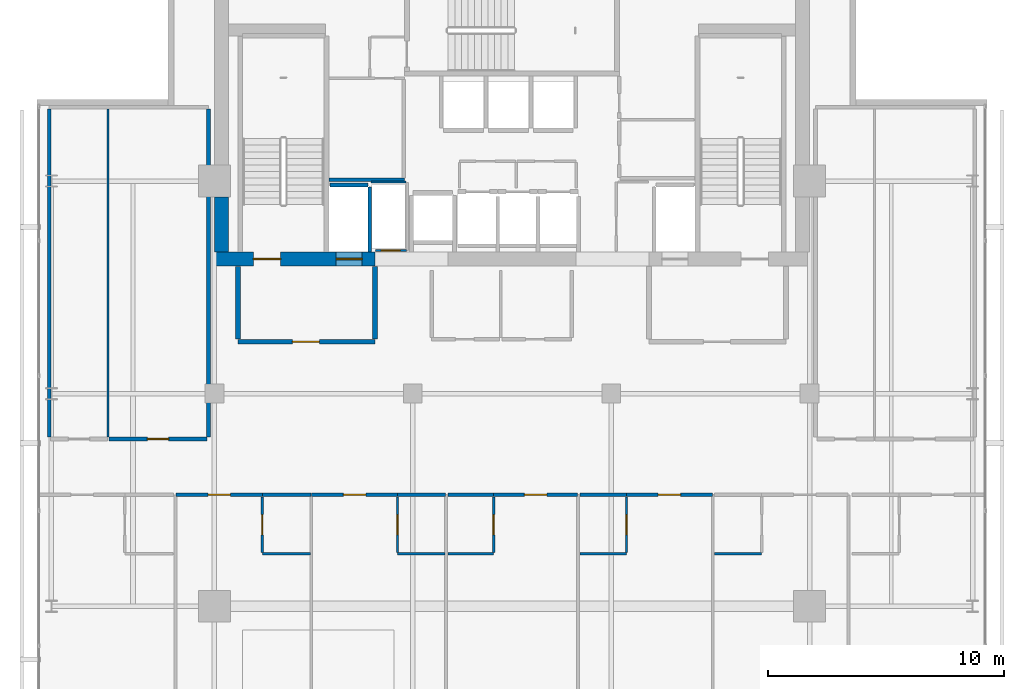
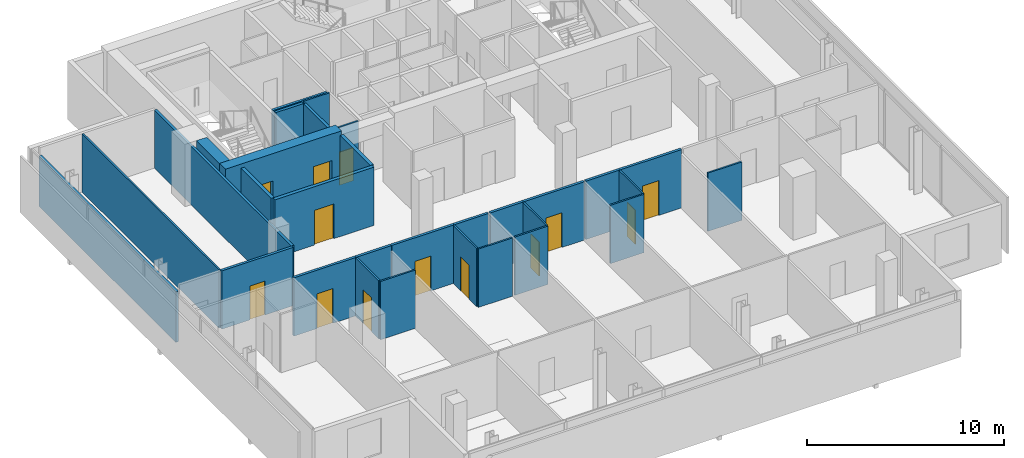
# One storey, part 17 of 24: 31 walls, 13 doors, 13 openings.
"""IFC4 building model written with IfcOpenShell, lengths in metres."""

from ifc_helpers import new_model, si_unit, direction, frame, frame_2d, origin, place, context, subcontext, project, spatial, rectangle, extrude, material, layer, layer_set, type_object, element, fill, save


model = new_model("IFC4")

# Units and contexts
model_context = context("Model", 3, precision=1e-05, world=origin(), true_north=direction((0.0, 1.0)))
body_context = subcontext(model_context, "Body", "Model", "MODEL_VIEW")
ifc_project = project(units=[si_unit("LENGTHUNIT", "METRE"), si_unit("AREAUNIT", "SQUARE_METRE"), si_unit("VOLUMEUNIT", "CUBIC_METRE"), si_unit("PLANEANGLEUNIT", "RADIAN"), si_unit("MASSUNIT", "GRAM", prefix="KILO")], contexts=[model_context])

# Site, building, storey
site_placement = place(None, origin())
site = spatial("IfcSite", under=ifc_project, at=site_placement, CompositionType="ELEMENT")
building_placement = place(site_placement, origin())
building = spatial("IfcBuilding", under=site, at=building_placement, Name="Maruvema Waterfront Hotel and Observation Tower", CompositionType="ELEMENT")
storey_placement = place(building_placement, frame((0.0, 0.0, 325.85009765625)))
storey = spatial("IfcBuildingStorey", under=building, at=storey_placement, Name="L80", CompositionType="ELEMENT", Elevation=325.85009765625)

# Walls
ifc_material_1 = material(Name="Twin-stud acoustic gypsum drywall", Category="gypsum")
ifc_layer_1 = layer(ifc_material_1, 0.14990234375, Name="Acoustic Corridor and Suite Demising Wall 150 mm")
ifc_layer_set_1 = layer_set([ifc_layer_1], Name="Twin-stud acoustic gypsum drywall")
wall_type_1 = type_object("IfcWallType", Name="Acoustic Corridor and Suite Demising Wall 150 mm", PredefinedType="PARTITIONING", material=ifc_layer_set_1)
wall_1_placement = place(storey_placement, frame((30.06005859375, 45.06005859375, 0.0), z_axis=(0.0, 0.0, 1.0), x_axis=(1.0, 0.0, 0.0)))
element("IfcWall", 1, at=wall_1_placement, inside=storey, type_object=wall_type_1, Name="L80 Freed B1 South Wall 017", PredefinedType="PARTITIONING", context=body_context, shape_type="SweptSolid", body=[
    extrude(rectangle(XDim=3.179931640625, YDim=0.14990234375, at=frame_2d((1.58984375, 0.0))), origin(), (0.0, 0.0, 1.0), 3.60986328125),
])
wall_2_placement = place(storey_placement, frame((18.199951171875, 34.159912109375, 0.0), z_axis=(0.0, 0.0, 1.0), x_axis=(0.0, 1.0, 0.0)))
element("IfcWall", 2, at=wall_2_placement, inside=storey, type_object=wall_type_1, Name="L80 L80-Z4W West Wall 032", PredefinedType="PARTITIONING", context=body_context, shape_type="SweptSolid", body=[
    extrude(rectangle(XDim=13.885009765625, YDim=0.14990234375, at=frame_2d((6.9423828125, 0.0))), origin(), (0.0, 0.0, 1.0), 3.140869140625),
])
wall_3_placement = place(storey_placement, frame((24.949951171875, 34.159912109375, 0.0), z_axis=(0.0, 0.0, 1.0), x_axis=(0.0, 1.0, 0.0)))
element("IfcWall", 3, at=wall_3_placement, inside=storey, type_object=wall_type_1, Name="L80 L80-Z4W East Wall 033", PredefinedType="PARTITIONING", context=body_context, shape_type="SweptSolid", body=[
    extrude(rectangle(XDim=13.885009765625, YDim=0.14990234375, at=frame_2d((6.9423828125, 0.0))), origin(), (0.0, 0.0, 1.0), 3.60986328125),
])

# Wall, opening, door
wall_4_placement = place(storey_placement, frame((20.7275390625, 34.080078125, 0.0), z_axis=(0.0, 0.0, 1.0), x_axis=(1.0, 0.0, 0.0)))
wall_4 = element("IfcWall", 4, at=wall_4_placement, inside=storey, type_object=wall_type_1, Name="L80 L80-Z4W Front 2 036", PredefinedType="PARTITIONING", context=body_context, shape_type="SweptSolid", body=[
    extrude(rectangle(XDim=4.162353515625, YDim=0.14990234375, at=frame_2d((2.0810546875, 0.0))), origin(), (0.0, 0.0, 1.0), 3.60986328125),
])
opening_1_placement = place(wall_4_placement, frame((1.63134765625, 0.0, 0.0)))
opening_1 = element("IfcOpeningElement", 5, at=opening_1_placement, cuts=wall_4, Name="Opening DR-090", PredefinedType="OPENING", context=body_context, shape_type="SweptSolid", body=[
    extrude(rectangle(XDim=0.89990234375, YDim=2.10009765625, at=frame_2d((0.449951171875, 1.050048828125))), frame((0.0, 0.0849609375, 0.0), z_axis=(0.0, -1.0, 0.0), x_axis=(1.0, 0.0, 0.0)), (0.0, 0.0, 1.0), 0.169921875),
])
ifc_material_2 = material(Name="Solid-core lacquered timber leaf", Category="wood")
door_type_1 = type_object("IfcDoorType", Name="Accessible Toilet and Room Door 900x2100 mm", OperationType="NOTDEFINED", PredefinedType="DOOR", material=ifc_material_2)
door_1_placement = place(opening_1_placement, frame((0.89990234375, 0.0, 0.0), z_axis=(0.0, 0.0, 1.0), x_axis=(-1.0, 0.0, 0.0)))
door_1 = element("IfcDoor", 6, at=door_1_placement, inside=storey, type_object=door_type_1, Name="L80 Sky Concierge Office Door", OperationType="SINGLE_SWING_RIGHT", OverallHeight=2.10009765625, OverallWidth=0.89990234375, PredefinedType="DOOR", context=body_context, shape_type="SweptSolid", body=[
    extrude(rectangle(XDim=0.89990234375, YDim=2.10009765625, at=frame_2d((0.449951171875, 1.050048828125))), frame((0.0, 0.02490234375, 0.0), z_axis=(0.0, -1.0, 0.0), x_axis=(1.0, 0.0, 0.0)), (0.0, 0.0, 1.0), 0.050048828125),
])
fill(opening_1, door_1)

# Wall
wall_5_placement = place(storey_placement, frame((27.22998046875, 31.719970703125, 0.0), z_axis=(0.0, 0.0, 1.0), x_axis=(1.0, 0.0, 0.0)))
element("IfcWall", 7, at=wall_5_placement, inside=storey, type_object=wall_type_1, Name="L80 Bath L80-SK1 Back Wall 045", PredefinedType="PARTITIONING", context=body_context, shape_type="SweptSolid", body=[
    extrude(rectangle(XDim=2.050048828125, YDim=0.14990234375, at=frame_2d((1.02490234375, 0.0))), origin(), (0.0, 0.0, 1.0), 3.60986328125),
])

# Wall, opening, door
wall_6_placement = place(storey_placement, frame((23.58251953125, 31.719970703125, 0.0), z_axis=(0.0, 0.0, 1.0), x_axis=(1.0, 0.0, 0.0)))
wall_6 = element("IfcWall", 8, at=wall_6_placement, inside=storey, type_object=wall_type_1, Name="L80 Unit L80-SK1 Corridor Wall 048", PredefinedType="PARTITIONING", context=body_context, shape_type="SweptSolid", body=[
    extrude(rectangle(XDim=3.6474609375, YDim=0.14990234375, at=frame_2d((1.82373046875, 0.0))), origin(), (0.0, 0.0, 1.0), 3.60986328125),
])
opening_2_placement = place(wall_6_placement, frame((1.348876953125, 0.0, 0.0)))
opening_2 = element("IfcOpeningElement", 9, at=opening_2_placement, cuts=wall_6, Name="Opening DR-095", PredefinedType="OPENING", context=body_context, shape_type="SweptSolid", body=[
    extrude(rectangle(XDim=0.949951171875, YDim=2.14990234375, at=frame_2d((0.47509765625, 1.074951171875))), frame((0.0, 0.0849609375, 0.0), z_axis=(0.0, -1.0, 0.0), x_axis=(1.0, 0.0, 0.0)), (0.0, 0.0, 1.0), 0.169921875),
])
ifc_material_3 = material(Name="Acoustic solid-core hardwood timber leaf", Category="wood")
door_type_2 = type_object("IfcDoorType", Name="Guestroom Entrance Fire Door 950x2150 mm", OperationType="NOTDEFINED", PredefinedType="DOOR", material=ifc_material_3)
door_2_placement = place(opening_2_placement, frame((0.949951171875, 0.0, 0.0), z_axis=(0.0, 0.0, 1.0), x_axis=(-1.0, 0.0, 0.0)))
door_2 = element("IfcDoor", 10, at=door_2_placement, inside=storey, type_object=door_type_2, Name="L80 Unit L80-SK1 Entrance Door", OperationType="SINGLE_SWING_RIGHT", OverallHeight=2.14990234375, OverallWidth=0.949951171875, PredefinedType="DOOR", context=body_context, shape_type="SweptSolid", body=[
    extrude(rectangle(XDim=0.949951171875, YDim=2.14990234375, at=frame_2d((0.47509765625, 1.074951171875))), frame((0.0, 0.02490234375, 0.0), z_axis=(0.0, -1.0, 0.0), x_axis=(1.0, 0.0, 0.0)), (0.0, 0.0, 1.0), 0.050048828125),
])
fill(opening_2, door_2)

# Wall
wall_7_placement = place(storey_placement, frame((32.949951171875, 31.719970703125, 0.0), z_axis=(0.0, 0.0, 1.0), x_axis=(1.0, 0.0, 0.0)))
element("IfcWall", 11, at=wall_7_placement, inside=storey, type_object=wall_type_1, Name="L80 Bath L80-SK2 Back Wall 051", PredefinedType="PARTITIONING", context=body_context, shape_type="SweptSolid", body=[
    extrude(rectangle(XDim=2.030029296875, YDim=0.14990234375, at=frame_2d((1.01513671875, 0.0))), origin(), (0.0, 0.0, 1.0), 3.60986328125),
])

# Wall, opening, door
wall_8_placement = place(storey_placement, frame((29.320068359375, 31.719970703125, 0.0), z_axis=(0.0, 0.0, 1.0), x_axis=(1.0, 0.0, 0.0)))
wall_8 = element("IfcWall", 12, at=wall_8_placement, inside=storey, type_object=wall_type_1, Name="L80 Unit L80-SK2 Corridor Wall 054", PredefinedType="PARTITIONING", context=body_context, shape_type="SweptSolid", body=[
    extrude(rectangle(XDim=3.6298828125, YDim=0.14990234375, at=frame_2d((1.81494140625, 0.0))), origin(), (0.0, 0.0, 1.0), 3.60986328125),
])
opening_3_placement = place(wall_8_placement, frame((1.340087890625, 0.0, 0.0)))
opening_3 = element("IfcOpeningElement", 13, at=opening_3_placement, cuts=wall_8, Name="Opening DR-095", PredefinedType="OPENING", context=body_context, shape_type="SweptSolid", body=[
    extrude(rectangle(XDim=0.949951171875, YDim=2.14990234375, at=frame_2d((0.47509765625, 1.074951171875))), frame((0.0, 0.0849609375, 0.0), z_axis=(0.0, -1.0, 0.0), x_axis=(1.0, 0.0, 0.0)), (0.0, 0.0, 1.0), 0.169921875),
])
door_3_placement = place(opening_3_placement, frame((0.949951171875, 0.0, 0.0), z_axis=(0.0, 0.0, 1.0), x_axis=(-1.0, 0.0, 0.0)))
door_3 = element("IfcDoor", 14, at=door_3_placement, inside=storey, type_object=door_type_2, Name="L80 Unit L80-SK2 Entrance Door", OperationType="SINGLE_SWING_LEFT", OverallHeight=2.14990234375, OverallWidth=0.949951171875, PredefinedType="DOOR", context=body_context, shape_type="SweptSolid", body=[
    extrude(rectangle(XDim=0.949951171875, YDim=2.14990234375, at=frame_2d((0.47509765625, 1.074951171875))), frame((0.0, 0.02490234375, 0.0), z_axis=(0.0, -1.0, 0.0), x_axis=(1.0, 0.0, 0.0)), (0.0, 0.0, 1.0), 0.050048828125),
])
fill(opening_3, door_3)

# Wall
wall_9_placement = place(storey_placement, frame((35.080078125, 31.719970703125, 0.0), z_axis=(0.0, 0.0, 1.0), x_axis=(1.0, 0.0, 0.0)))
element("IfcWall", 15, at=wall_9_placement, inside=storey, type_object=wall_type_1, Name="L80 Bath L80-SK3 Back Wall 057", PredefinedType="PARTITIONING", context=body_context, shape_type="SweptSolid", body=[
    extrude(rectangle(XDim=1.93994140625, YDim=0.14990234375, at=frame_2d((0.969970703125, 0.0))), origin(), (0.0, 0.0, 1.0), 3.60986328125),
])

# Wall, opening, door
wall_10_placement = place(storey_placement, frame((37.02001953125, 31.719970703125, 0.0), z_axis=(0.0, 0.0, 1.0), x_axis=(1.0, 0.0, 0.0)))
wall_10 = element("IfcWall", 16, at=wall_10_placement, inside=storey, type_object=wall_type_1, Name="L80 Unit L80-SK3 Corridor Wall 060", PredefinedType="PARTITIONING", context=body_context, shape_type="SweptSolid", body=[
    extrude(rectangle(XDim=3.56005859375, YDim=0.14990234375, at=frame_2d((1.780029296875, 0.0))), origin(), (0.0, 0.0, 1.0), 3.60986328125),
])
opening_4_placement = place(wall_10_placement, frame((1.304931640625, 0.0, 0.0)))
opening_4 = element("IfcOpeningElement", 17, at=opening_4_placement, cuts=wall_10, Name="Opening DR-095", PredefinedType="OPENING", context=body_context, shape_type="SweptSolid", body=[
    extrude(rectangle(XDim=0.949951171875, YDim=2.14990234375, at=frame_2d((0.47509765625, 1.074951171875))), frame((0.0, 0.0849609375, 0.0), z_axis=(0.0, -1.0, 0.0), x_axis=(1.0, 0.0, 0.0)), (0.0, 0.0, 1.0), 0.169921875),
])
door_4_placement = place(opening_4_placement, frame((0.949951171875, 0.0, 0.0), z_axis=(0.0, 0.0, 1.0), x_axis=(-1.0, 0.0, 0.0)))
door_4 = element("IfcDoor", 18, at=door_4_placement, inside=storey, type_object=door_type_2, Name="L80 Unit L80-SK3 Entrance Door", OperationType="SINGLE_SWING_RIGHT", OverallHeight=2.14990234375, OverallWidth=0.949951171875, PredefinedType="DOOR", context=body_context, shape_type="SweptSolid", body=[
    extrude(rectangle(XDim=0.949951171875, YDim=2.14990234375, at=frame_2d((0.47509765625, 1.074951171875))), frame((0.0, 0.02490234375, 0.0), z_axis=(0.0, -1.0, 0.0), x_axis=(1.0, 0.0, 0.0)), (0.0, 0.0, 1.0), 0.050048828125),
])
fill(opening_4, door_4)

# Wall
wall_11_placement = place(storey_placement, frame((40.679931640625, 31.719970703125, 0.0), z_axis=(0.0, 0.0, 1.0), x_axis=(1.0, 0.0, 0.0)))
element("IfcWall", 19, at=wall_11_placement, inside=storey, type_object=wall_type_1, Name="L80 Bath L80-SK4 Back Wall 063", PredefinedType="PARTITIONING", context=body_context, shape_type="SweptSolid", body=[
    extrude(rectangle(XDim=1.969970703125, YDim=0.14990234375, at=frame_2d((0.98486328125, 0.0))), origin(), (0.0, 0.0, 1.0), 3.60986328125),
])

# Wall, opening, door
wall_12_placement = place(storey_placement, frame((42.64990234375, 31.719970703125, 0.0), z_axis=(0.0, 0.0, 1.0), x_axis=(1.0, 0.0, 0.0)))
wall_12 = element("IfcWall", 20, at=wall_12_placement, inside=storey, type_object=wall_type_1, Name="L80 Unit L80-SK4 Corridor Wall 066", PredefinedType="PARTITIONING", context=body_context, shape_type="SweptSolid", body=[
    extrude(rectangle(XDim=3.630126953125, YDim=0.14990234375, at=frame_2d((1.81494140625, 0.0))), origin(), (0.0, 0.0, 1.0), 3.60986328125),
])
opening_5_placement = place(wall_12_placement, frame((1.340087890625, 0.0, 0.0)))
opening_5 = element("IfcOpeningElement", 21, at=opening_5_placement, cuts=wall_12, Name="Opening DR-095", PredefinedType="OPENING", context=body_context, shape_type="SweptSolid", body=[
    extrude(rectangle(XDim=0.949951171875, YDim=2.14990234375, at=frame_2d((0.47509765625, 1.074951171875))), frame((0.0, 0.0849609375, 0.0), z_axis=(0.0, -1.0, 0.0), x_axis=(1.0, 0.0, 0.0)), (0.0, 0.0, 1.0), 0.169921875),
])
door_5_placement = place(opening_5_placement, frame((0.949951171875, 0.0, 0.0), z_axis=(0.0, 0.0, 1.0), x_axis=(-1.0, 0.0, 0.0)))
door_5 = element("IfcDoor", 22, at=door_5_placement, inside=storey, type_object=door_type_2, Name="L80 Unit L80-SK4 Entrance Door", OperationType="SINGLE_SWING_LEFT", OverallHeight=2.14990234375, OverallWidth=0.949951171875, PredefinedType="DOOR", context=body_context, shape_type="SweptSolid", body=[
    extrude(rectangle(XDim=0.949951171875, YDim=2.14990234375, at=frame_2d((0.47509765625, 1.074951171875))), frame((0.0, 0.02490234375, 0.0), z_axis=(0.0, -1.0, 0.0), x_axis=(1.0, 0.0, 0.0)), (0.0, 0.0, 1.0), 0.050048828125),
])
fill(opening_5, door_5)

# Wall, openings, doors
ifc_material_4 = material(Name="Concrete C60/75", Category="concrete")
ifc_layer_2 = layer(ifc_material_4, 0.60009765625, Name="Core Shear Wall 600 mm")
ifc_layer_set_2 = layer_set([ifc_layer_2], Name="Concrete C60/75")
wall_type_2 = type_object("IfcWallType", Name="Core Shear Wall 600 mm", PredefinedType="SHEAR", material=ifc_layer_set_2)
wall_13_placement = place(storey_placement, frame((25.199951171875, 41.699951171875, 0.0), z_axis=(0.0, 0.0, 1.0), x_axis=(1.0, 0.0, 0.0)))
wall_13 = element("IfcWall", 23, at=wall_13_placement, inside=storey, type_object=wall_type_2, Name="L80 South-West Core Shear Wall", PredefinedType="SHEAR", context=body_context, shape_type="SweptSolid", body=[
    extrude(rectangle(XDim=6.800048828125, YDim=0.60009765625, at=frame_2d((3.39990234375, 0.0))), origin(), (0.0, 0.0, 1.0), 3.849853515625),
])
opening_6_placement = place(wall_13_placement, frame((1.64990234375, 0.0, 0.0)))
opening_6 = element("IfcOpeningElement", 24, at=opening_6_placement, cuts=wall_13, Name="Opening SD-01", PredefinedType="OPENING", context=body_context, shape_type="SweptSolid", body=[
    extrude(rectangle(XDim=1.14990234375, YDim=2.14990234375, at=frame_2d((0.574951171875, 1.074951171875))), frame((0.0, 0.31005859375, 0.0), z_axis=(0.0, -1.0, 0.0), x_axis=(1.0, 0.0, 0.0)), (0.0, 0.0, 1.0), 0.6201171875),
])
opening_7_placement = place(wall_13_placement, frame((5.14990234375, 0.0, 0.0)))
opening_7 = element("IfcOpeningElement", 25, at=opening_7_placement, cuts=wall_13, Name="Opening LD-03", PredefinedType="OPENING", context=body_context, shape_type="SweptSolid", body=[
    extrude(rectangle(XDim=1.10009765625, YDim=2.199951171875, at=frame_2d((0.550048828125, 1.10009765625))), frame((0.0, 0.31005859375, 0.0), z_axis=(0.0, -1.0, 0.0), x_axis=(1.0, 0.0, 0.0)), (0.0, 0.0, 1.0), 0.6201171875),
])
ifc_material_5 = material(Name="Fire-rated galvanised steel leaf", Category="steel")
door_type_3 = type_object("IfcDoorType", Name="Exit Stair Fire Door 1150x2150 mm", OperationType="NOTDEFINED", PredefinedType="DOOR", material=ifc_material_5)
door_6_placement = place(opening_6_placement, origin())
door_6 = element("IfcDoor", 26, at=door_6_placement, inside=storey, type_object=door_type_3, Name="L80 Exit Stair ST-01 Fire Door", OperationType="SINGLE_SWING_LEFT", OverallHeight=2.14990234375, OverallWidth=1.14990234375, PredefinedType="DOOR", context=body_context, shape_type="SweptSolid", body=[
    extrude(rectangle(XDim=1.14990234375, YDim=2.14990234375, at=frame_2d((0.574951171875, 1.074951171875))), frame((0.0, 0.02490234375, 0.0), z_axis=(0.0, -1.0, 0.0), x_axis=(1.0, 0.0, 0.0)), (0.0, 0.0, 1.0), 0.050048828125),
])
fill(opening_6, door_6)
ifc_material_6 = material(Name="Brushed stainless steel Grade 316", Category="steel")
door_type_4 = type_object("IfcDoorType", Name="Firefighting Lift Sliding Landing Door 1100x2200 mm", OperationType="SLIDING_TO_LEFT", PredefinedType="DOOR", material=ifc_material_6)
door_7_placement = place(opening_7_placement, frame((1.10009765625, 0.0, 0.0), z_axis=(0.0, 0.0, 1.0), x_axis=(-1.0, 0.0, 0.0)))
door_7 = element("IfcDoor", 27, at=door_7_placement, inside=storey, type_object=door_type_4, Name="L80 Firefighting Lift FL-01 Landing Door", OperationType="SLIDING_TO_LEFT", OverallHeight=2.199951171875, OverallWidth=1.10009765625, PredefinedType="DOOR", context=body_context, shape_type="SweptSolid", body=[
    extrude(rectangle(XDim=1.10009765625, YDim=2.199951171875, at=frame_2d((0.550048828125, 1.10009765625))), frame((0.0, 0.02490234375, 0.0), z_axis=(0.0, -1.0, 0.0), x_axis=(1.0, 0.0, 0.0)), (0.0, 0.0, 1.0), 0.050048828125),
])
fill(opening_7, door_7)

# Wall
wall_14_placement = place(storey_placement, frame((25.5, 42.0, 0.0), z_axis=(0.0, 0.0, 1.0), x_axis=(0.0, 1.0, 0.0)))
element("IfcWall", 28, at=wall_14_placement, inside=storey, type_object=wall_type_2, Name="L80 West-South Core Shear Wall", PredefinedType="SHEAR", context=body_context, shape_type="SweptSolid", body=[
    extrude(rectangle(XDim=2.324951171875, YDim=0.60009765625, at=frame_2d((1.16259765625, 0.0))), origin(), (0.0, 0.0, 1.0), 3.849853515625),
])

# Wall, opening, door
ifc_material_7 = material(Name="Moisture-resistant cement-board drywall", Category="gypsum")
ifc_layer_3 = layer(ifc_material_7, 0.10009765625, Name="En-Suite Moisture-Resistant Partition 100 mm")
ifc_layer_set_3 = layer_set([ifc_layer_3], Name="Moisture-resistant cement-board drywall")
wall_type_3 = type_object("IfcWallType", Name="En-Suite Moisture-Resistant Partition 100 mm", PredefinedType="PARTITIONING", material=ifc_layer_set_3)
wall_15_placement = place(storey_placement, frame((32.02001953125, 42.06005859375, 0.0), z_axis=(0.0, 0.0, 1.0), x_axis=(1.0, 0.0, 0.0)))
wall_15 = element("IfcWall", 29, at=wall_15_placement, inside=storey, type_object=wall_type_3, Name="L80 Telecom Riser South Wall 007", PredefinedType="PARTITIONING", context=body_context, shape_type="SweptSolid", body=[
    extrude(rectangle(XDim=1.320068359375, YDim=0.10009765625, at=frame_2d((0.66015625, 0.0))), origin(), (0.0, 0.0, 1.0), 3.60986328125),
])
opening_8_placement = place(wall_15_placement, frame((0.239990234375, 0.0, 0.0)))
opening_8 = element("IfcOpeningElement", 30, at=opening_8_placement, cuts=wall_15, Name="Opening DR-080", PredefinedType="OPENING", context=body_context, shape_type="SweptSolid", body=[
    extrude(rectangle(XDim=0.800048828125, YDim=2.050048828125, at=frame_2d((0.39990234375, 1.02490234375))), frame((0.0, 0.06005859375, 0.0), z_axis=(0.0, -1.0, 0.0), x_axis=(1.0, 0.0, 0.0)), (0.0, 0.0, 1.0), 0.1201171875),
])
ifc_material_8 = material(Name="Powder-coated steel access leaf", Category="steel")
door_type_5 = type_object("IfcDoorType", Name="Riser and Service Cupboard Door 800x2050 mm", OperationType="NOTDEFINED", PredefinedType="DOOR", material=ifc_material_8)
door_8_placement = place(opening_8_placement, frame((0.800048828125, 0.0, 0.0), z_axis=(0.0, 0.0, 1.0), x_axis=(-1.0, 0.0, 0.0)))
door_8 = element("IfcDoor", 31, at=door_8_placement, inside=storey, type_object=door_type_5, Name="L80 Telecom Riser Door", OperationType="SINGLE_SWING_LEFT", OverallHeight=2.050048828125, OverallWidth=0.800048828125, PredefinedType="DOOR", context=body_context, shape_type="SweptSolid", body=[
    extrude(rectangle(XDim=0.800048828125, YDim=2.050048828125, at=frame_2d((0.39990234375, 1.02490234375))), frame((0.0, 0.02490234375, 0.0), z_axis=(0.0, -1.0, 0.0), x_axis=(1.0, 0.0, 0.0)), (0.0, 0.0, 1.0), 0.050048828125),
])
fill(opening_8, door_8)

# Walls
wall_16_placement = place(storey_placement, frame((31.840087890625, 44.9599609375, 0.0), z_axis=(0.0, 0.0, 1.0), x_axis=(1.0, 0.0, 0.0)))
element("IfcWall", 32, at=wall_16_placement, inside=storey, type_object=wall_type_3, Name="L80 Telecom Riser North Wall 008", PredefinedType="PARTITIONING", context=body_context, shape_type="SweptSolid", body=[
    extrude(rectangle(XDim=1.47998046875, YDim=0.10009765625, at=frame_2d((0.739990234375, 0.0))), origin(), (0.0, 0.0, 1.0), 3.60986328125),
])
wall_17_placement = place(storey_placement, frame((20.697509765625, 34.159912109375, 0.0), z_axis=(0.0, 0.0, 1.0), x_axis=(0.0, 1.0, 0.0)))
element("IfcWall", 33, at=wall_17_placement, inside=storey, type_object=wall_type_3, Name="L80 L80-Z4W Split 1 035", PredefinedType="PARTITIONING", context=body_context, shape_type="SweptSolid", body=[
    extrude(rectangle(XDim=13.885009765625, YDim=0.10009765625, at=frame_2d((6.9423828125, 0.0))), origin(), (0.0, 0.0, 1.0), 3.60986328125),
])
wall_18_placement = place(storey_placement, frame((27.22998046875, 29.219970703125, 0.0), z_axis=(0.0, 0.0, 1.0), x_axis=(1.0, 0.0, 0.0)))
element("IfcWall", 34, at=wall_18_placement, inside=storey, type_object=wall_type_3, Name="L80 En-Suite L80-SK1 South 046", PredefinedType="PARTITIONING", context=body_context, shape_type="SweptSolid", body=[
    extrude(rectangle(XDim=2.030029296875, YDim=0.10009765625, at=frame_2d((1.01513671875, 0.0))), origin(), (0.0, 0.0, 1.0), 3.60986328125),
])

# Wall, opening, door
wall_19_placement = place(storey_placement, frame((27.22998046875, 29.280029296875, 0.0), z_axis=(0.0, 0.0, 1.0), x_axis=(0.0, 1.0, 0.0)))
wall_19 = element("IfcWall", 35, at=wall_19_placement, inside=storey, type_object=wall_type_3, Name="L80 En-Suite L80-SK1 West 047", PredefinedType="PARTITIONING", context=body_context, shape_type="SweptSolid", body=[
    extrude(rectangle(XDim=2.340087890625, YDim=0.10009765625, at=frame_2d((1.169921875, 0.0))), origin(), (0.0, 0.0, 1.0), 3.60986328125),
])
opening_9_placement = place(wall_19_placement, frame((0.7451171875, 0.0, 0.0)))
opening_9 = element("IfcOpeningElement", 36, at=opening_9_placement, cuts=wall_19, Name="Opening DR-085", PredefinedType="OPENING", context=body_context, shape_type="SweptSolid", body=[
    extrude(rectangle(XDim=0.85009765625, YDim=2.10009765625, at=frame_2d((0.425048828125, 1.050048828125))), frame((0.0, 0.06005859375, 0.0), z_axis=(0.0, -1.0, 0.0), x_axis=(1.0, 0.0, 0.0)), (0.0, 0.0, 1.0), 0.1201171875),
])
ifc_material_9 = material(Name="Moisture-resistant solid timber leaf", Category="wood")
door_type_6 = type_object("IfcDoorType", Name="En-Suite Bathroom Door 850x2100 mm", OperationType="NOTDEFINED", PredefinedType="DOOR", material=ifc_material_9)
door_9_placement = place(opening_9_placement, origin())
door_9 = element("IfcDoor", 37, at=door_9_placement, inside=storey, type_object=door_type_6, Name="L80 En-Suite L80-SK1 Door", OperationType="SINGLE_SWING_LEFT", OverallHeight=2.10009765625, OverallWidth=0.85009765625, PredefinedType="DOOR", context=body_context, shape_type="SweptSolid", body=[
    extrude(rectangle(XDim=0.85009765625, YDim=2.10009765625, at=frame_2d((0.425048828125, 1.050048828125))), frame((0.0, 0.02490234375, 0.0), z_axis=(0.0, -1.0, 0.0), x_axis=(1.0, 0.0, 0.0)), (0.0, 0.0, 1.0), 0.050048828125),
])
fill(opening_9, door_9)

# Wall
wall_20_placement = place(storey_placement, frame((32.949951171875, 29.219970703125, 0.0), z_axis=(0.0, 0.0, 1.0), x_axis=(1.0, 0.0, 0.0)))
element("IfcWall", 38, at=wall_20_placement, inside=storey, type_object=wall_type_3, Name="L80 En-Suite L80-SK2 South 052", PredefinedType="PARTITIONING", context=body_context, shape_type="SweptSolid", body=[
    extrude(rectangle(XDim=2.010009765625, YDim=0.10009765625, at=frame_2d((1.0048828125, 0.0))), origin(), (0.0, 0.0, 1.0), 3.60986328125),
])

# Wall, opening, door
wall_21_placement = place(storey_placement, frame((32.949951171875, 29.280029296875, 0.0), z_axis=(0.0, 0.0, 1.0), x_axis=(0.0, 1.0, 0.0)))
wall_21 = element("IfcWall", 39, at=wall_21_placement, inside=storey, type_object=wall_type_3, Name="L80 En-Suite L80-SK2 West 053", PredefinedType="PARTITIONING", context=body_context, shape_type="SweptSolid", body=[
    extrude(rectangle(XDim=2.340087890625, YDim=0.10009765625, at=frame_2d((1.169921875, 0.0))), origin(), (0.0, 0.0, 1.0), 3.60986328125),
])
opening_10_placement = place(wall_21_placement, frame((0.7451171875, 0.0, 0.0)))
opening_10 = element("IfcOpeningElement", 40, at=opening_10_placement, cuts=wall_21, Name="Opening DR-085", PredefinedType="OPENING", context=body_context, shape_type="SweptSolid", body=[
    extrude(rectangle(XDim=0.85009765625, YDim=2.10009765625, at=frame_2d((0.425048828125, 1.050048828125))), frame((0.0, 0.06005859375, 0.0), z_axis=(0.0, -1.0, 0.0), x_axis=(1.0, 0.0, 0.0)), (0.0, 0.0, 1.0), 0.1201171875),
])
door_10_placement = place(opening_10_placement, origin())
door_10 = element("IfcDoor", 41, at=door_10_placement, inside=storey, type_object=door_type_6, Name="L80 En-Suite L80-SK2 Door", OperationType="SINGLE_SWING_RIGHT", OverallHeight=2.10009765625, OverallWidth=0.85009765625, PredefinedType="DOOR", context=body_context, shape_type="SweptSolid", body=[
    extrude(rectangle(XDim=0.85009765625, YDim=2.10009765625, at=frame_2d((0.425048828125, 1.050048828125))), frame((0.0, 0.02490234375, 0.0), z_axis=(0.0, -1.0, 0.0), x_axis=(1.0, 0.0, 0.0)), (0.0, 0.0, 1.0), 0.050048828125),
])
fill(opening_10, door_10)

# Wall
wall_22_placement = place(storey_placement, frame((35.080078125, 29.219970703125, 0.0), z_axis=(0.0, 0.0, 1.0), x_axis=(1.0, 0.0, 0.0)))
element("IfcWall", 42, at=wall_22_placement, inside=storey, type_object=wall_type_3, Name="L80 En-Suite L80-SK3 South 058", PredefinedType="PARTITIONING", context=body_context, shape_type="SweptSolid", body=[
    extrude(rectangle(XDim=1.93994140625, YDim=0.10009765625, at=frame_2d((0.969970703125, 0.0))), origin(), (0.0, 0.0, 1.0), 3.60986328125),
])

# Wall, opening, door
wall_23_placement = place(storey_placement, frame((37.02001953125, 29.280029296875, 0.0), z_axis=(0.0, 0.0, 1.0), x_axis=(0.0, 1.0, 0.0)))
wall_23 = element("IfcWall", 43, at=wall_23_placement, inside=storey, type_object=wall_type_3, Name="L80 En-Suite L80-SK3 East 059", PredefinedType="PARTITIONING", context=body_context, shape_type="SweptSolid", body=[
    extrude(rectangle(XDim=2.340087890625, YDim=0.10009765625, at=frame_2d((1.169921875, 0.0))), origin(), (0.0, 0.0, 1.0), 3.60986328125),
])
opening_11_placement = place(wall_23_placement, frame((0.7451171875, 0.0, 0.0)))
opening_11 = element("IfcOpeningElement", 44, at=opening_11_placement, cuts=wall_23, Name="Opening DR-085", PredefinedType="OPENING", context=body_context, shape_type="SweptSolid", body=[
    extrude(rectangle(XDim=0.85009765625, YDim=2.10009765625, at=frame_2d((0.425048828125, 1.050048828125))), frame((0.0, 0.06005859375, 0.0), z_axis=(0.0, -1.0, 0.0), x_axis=(1.0, 0.0, 0.0)), (0.0, 0.0, 1.0), 0.1201171875),
])
door_11_placement = place(opening_11_placement, frame((0.85009765625, 0.0, 0.0), z_axis=(0.0, 0.0, 1.0), x_axis=(-1.0, 0.0, 0.0)))
door_11 = element("IfcDoor", 45, at=door_11_placement, inside=storey, type_object=door_type_6, Name="L80 En-Suite L80-SK3 Door", OperationType="SINGLE_SWING_LEFT", OverallHeight=2.10009765625, OverallWidth=0.85009765625, PredefinedType="DOOR", context=body_context, shape_type="SweptSolid", body=[
    extrude(rectangle(XDim=0.85009765625, YDim=2.10009765625, at=frame_2d((0.425048828125, 1.050048828125))), frame((0.0, 0.02490234375, 0.0), z_axis=(0.0, -1.0, 0.0), x_axis=(1.0, 0.0, 0.0)), (0.0, 0.0, 1.0), 0.050048828125),
])
fill(opening_11, door_11)

# Wall
wall_24_placement = place(storey_placement, frame((40.679931640625, 29.219970703125, 0.0), z_axis=(0.0, 0.0, 1.0), x_axis=(1.0, 0.0, 0.0)))
element("IfcWall", 46, at=wall_24_placement, inside=storey, type_object=wall_type_3, Name="L80 En-Suite L80-SK4 South 064", PredefinedType="PARTITIONING", context=body_context, shape_type="SweptSolid", body=[
    extrude(rectangle(XDim=1.969970703125, YDim=0.10009765625, at=frame_2d((0.98486328125, 0.0))), origin(), (0.0, 0.0, 1.0), 3.60986328125),
])

# Wall, opening, door
wall_25_placement = place(storey_placement, frame((42.64990234375, 29.280029296875, 0.0), z_axis=(0.0, 0.0, 1.0), x_axis=(0.0, 1.0, 0.0)))
wall_25 = element("IfcWall", 47, at=wall_25_placement, inside=storey, type_object=wall_type_3, Name="L80 En-Suite L80-SK4 East 065", PredefinedType="PARTITIONING", context=body_context, shape_type="SweptSolid", body=[
    extrude(rectangle(XDim=2.340087890625, YDim=0.10009765625, at=frame_2d((1.169921875, 0.0))), origin(), (0.0, 0.0, 1.0), 3.60986328125),
])
opening_12_placement = place(wall_25_placement, frame((0.7451171875, 0.0, 0.0)))
opening_12 = element("IfcOpeningElement", 48, at=opening_12_placement, cuts=wall_25, Name="Opening DR-085", PredefinedType="OPENING", context=body_context, shape_type="SweptSolid", body=[
    extrude(rectangle(XDim=0.85009765625, YDim=2.10009765625, at=frame_2d((0.425048828125, 1.050048828125))), frame((0.0, 0.06005859375, 0.0), z_axis=(0.0, -1.0, 0.0), x_axis=(1.0, 0.0, 0.0)), (0.0, 0.0, 1.0), 0.1201171875),
])
door_12_placement = place(opening_12_placement, frame((0.85009765625, 0.0, 0.0), z_axis=(0.0, 0.0, 1.0), x_axis=(-1.0, 0.0, 0.0)))
door_12 = element("IfcDoor", 49, at=door_12_placement, inside=storey, type_object=door_type_6, Name="L80 En-Suite L80-SK4 Door", OperationType="SINGLE_SWING_RIGHT", OverallHeight=2.10009765625, OverallWidth=0.85009765625, PredefinedType="DOOR", context=body_context, shape_type="SweptSolid", body=[
    extrude(rectangle(XDim=0.85009765625, YDim=2.10009765625, at=frame_2d((0.425048828125, 1.050048828125))), frame((0.0, 0.02490234375, 0.0), z_axis=(0.0, -1.0, 0.0), x_axis=(1.0, 0.0, 0.0)), (0.0, 0.0, 1.0), 0.050048828125),
])
fill(opening_12, door_12)

# Wall
wall_26_placement = place(storey_placement, frame((46.3798828125, 29.219970703125, 0.0), z_axis=(0.0, 0.0, 1.0), x_axis=(1.0, 0.0, 0.0)))
element("IfcWall", 50, at=wall_26_placement, inside=storey, type_object=wall_type_3, Name="L80 En-Suite L80-SK5 South 070", PredefinedType="PARTITIONING", context=body_context, shape_type="SweptSolid", body=[
    extrude(rectangle(XDim=1.990234375, YDim=0.10009765625, at=frame_2d((0.9951171875, 0.0))), origin(), (0.0, 0.0, 1.0), 3.60986328125),
])

# Wall, opening, door
ifc_material_10 = material(Name="Autoclaved cellular concrete blockwork", Category="masonry")
ifc_layer_4 = layer(ifc_material_10, 0.199951171875, Name="Fire Compartment Masonry Wall 200 mm")
ifc_layer_set_4 = layer_set([ifc_layer_4], Name="Autoclaved cellular concrete blockwork")
wall_type_4 = type_object("IfcWallType", Name="Fire Compartment Masonry Wall 200 mm", PredefinedType="PARTITIONING", material=ifc_layer_set_4)
wall_27_placement = place(storey_placement, frame((26.199951171875, 38.199951171875, 0.0), z_axis=(0.0, 0.0, 1.0), x_axis=(1.0, 0.0, 0.0)))
wall_27 = element("IfcWall", 51, at=wall_27_placement, inside=storey, type_object=wall_type_4, Name="L80 FFL West South Wall 001", PredefinedType="PARTITIONING", context=body_context, shape_type="SweptSolid", body=[
    extrude(rectangle(XDim=5.800048828125, YDim=0.199951171875, at=frame_2d((2.89990234375, 0.0))), origin(), (0.0, 0.0, 1.0), 3.60986328125),
])
opening_13_placement = place(wall_27_placement, frame((2.300048828125, 0.0, 0.0)))
opening_13 = element("IfcOpeningElement", 52, at=opening_13_placement, cuts=wall_27, Name="Opening FD-115", PredefinedType="OPENING", context=body_context, shape_type="SweptSolid", body=[
    extrude(rectangle(XDim=1.14990234375, YDim=2.14990234375, at=frame_2d((0.574951171875, 1.074951171875))), frame((0.0, 0.10986328125, 0.0), z_axis=(0.0, -1.0, 0.0), x_axis=(1.0, 0.0, 0.0)), (0.0, 0.0, 1.0), 0.219970703125),
])
ifc_material_11 = material(Name="Fire-rated galvanised steel and vision glass", Category="steel")
door_type_7 = type_object("IfcDoorType", Name="Firefighting Lobby Fire Door 1150x2150 mm", OperationType="NOTDEFINED", PredefinedType="DOOR", material=ifc_material_11)
door_13_placement = place(opening_13_placement, frame((1.14990234375, 0.0, 0.0), z_axis=(0.0, 0.0, 1.0), x_axis=(-1.0, 0.0, 0.0)))
door_13 = element("IfcDoor", 53, at=door_13_placement, inside=storey, type_object=door_type_7, Name="L80 Firefighting Lobby West Door", OperationType="SINGLE_SWING_LEFT", OverallHeight=2.14990234375, OverallWidth=1.14990234375, PredefinedType="DOOR", context=body_context, shape_type="SweptSolid", body=[
    extrude(rectangle(XDim=1.14990234375, YDim=2.14990234375, at=frame_2d((0.574951171875, 1.074951171875))), frame((0.0, 0.02490234375, 0.0), z_axis=(0.0, -1.0, 0.0), x_axis=(1.0, 0.0, 0.0)), (0.0, 0.0, 1.0), 0.050048828125),
])
fill(opening_13, door_13)

# Walls
for number, where, z_axis, x_axis, name in (
    (54, (26.199951171875, 38.31005859375, 0.0), (0.0, 0.0, 1.0), (0.0, 1.0, 0.0), "L80 FFL West West Wall 002"),
    (55, (32.0, 38.31005859375, 0.0), (0.0, 0.0, 1.0), (0.0, 1.0, 0.0), "L80 FFL West East Wall 003"),
):
    element("IfcWall", number, at=place(storey_placement, frame(where, z_axis=z_axis, x_axis=x_axis)), inside=storey, type_object=wall_type_4, Name=name, PredefinedType="PARTITIONING", context=body_context, shape_type="SweptSolid", body=[
        extrude(rectangle(XDim=3.06982421875, YDim=0.199951171875, at=frame_2d((1.534912109375, 0.0))), origin(), (0.0, 0.0, 1.0), 3.60986328125),
    ])
ifc_material_12 = material(Name="Precast concrete C45/55", Category="concrete")
ifc_layer_5 = layer(ifc_material_12, 0.159912109375, Name="Lift Hoistway Divider Wall 160 mm")
ifc_layer_set_5 = layer_set([ifc_layer_5], Name="Precast concrete C45/55")
wall_type_5 = type_object("IfcWallType", Name="Lift Hoistway Divider Wall 160 mm", PredefinedType="SOLIDWALL", material=ifc_layer_set_5)
wall_28_placement = place(storey_placement, frame((30.10009765625, 44.830078125, 0.0), z_axis=(0.0, 0.0, 1.0), x_axis=(1.0, 0.0, 0.0)))
element("IfcWall", 56, at=wall_28_placement, inside=storey, type_object=wall_type_5, Name="L80 Lift FL-01 Rear Hoistway Wall", PredefinedType="SOLIDWALL", context=body_context, shape_type="SweptSolid", body=[
    extrude(rectangle(XDim=1.599853515625, YDim=0.159912109375, at=frame_2d((0.7998046875, 0.0))), origin(), (0.0, 0.0, 1.0), 3.60986328125),
])
wall_29_placement = place(storey_placement, frame((31.780029296875, 42.0, 0.0), z_axis=(0.0, 0.0, 1.0), x_axis=(0.0, 1.0, 0.0)))
element("IfcWall", 57, at=wall_29_placement, inside=storey, type_object=wall_type_5, Name="L80 Lift FL-01 Inner Hoistway Wall", PredefinedType="SOLIDWALL", context=body_context, shape_type="SweptSolid", body=[
    extrude(rectangle(XDim=2.739990234375, YDim=0.159912109375, at=frame_2d((1.3701171875, 0.0))), origin(), (0.0, 0.0, 1.0), 3.60986328125),
])

save(model, "model.ifc")
